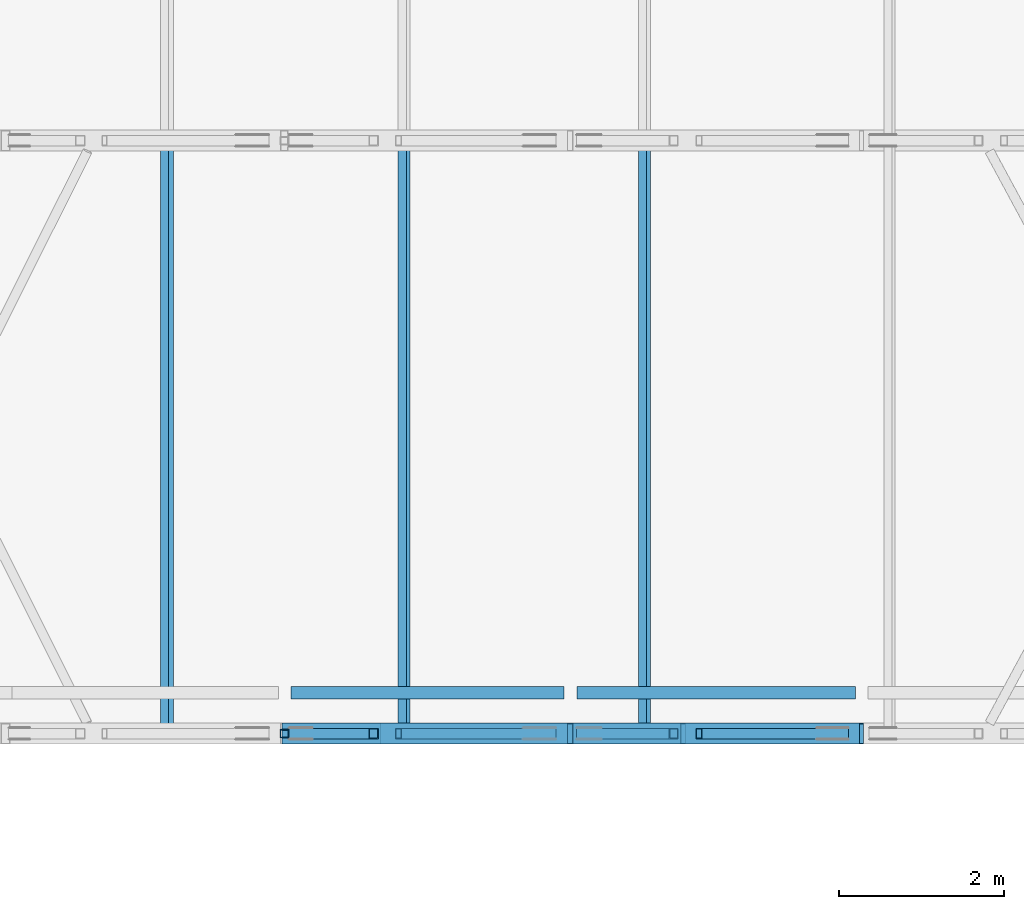
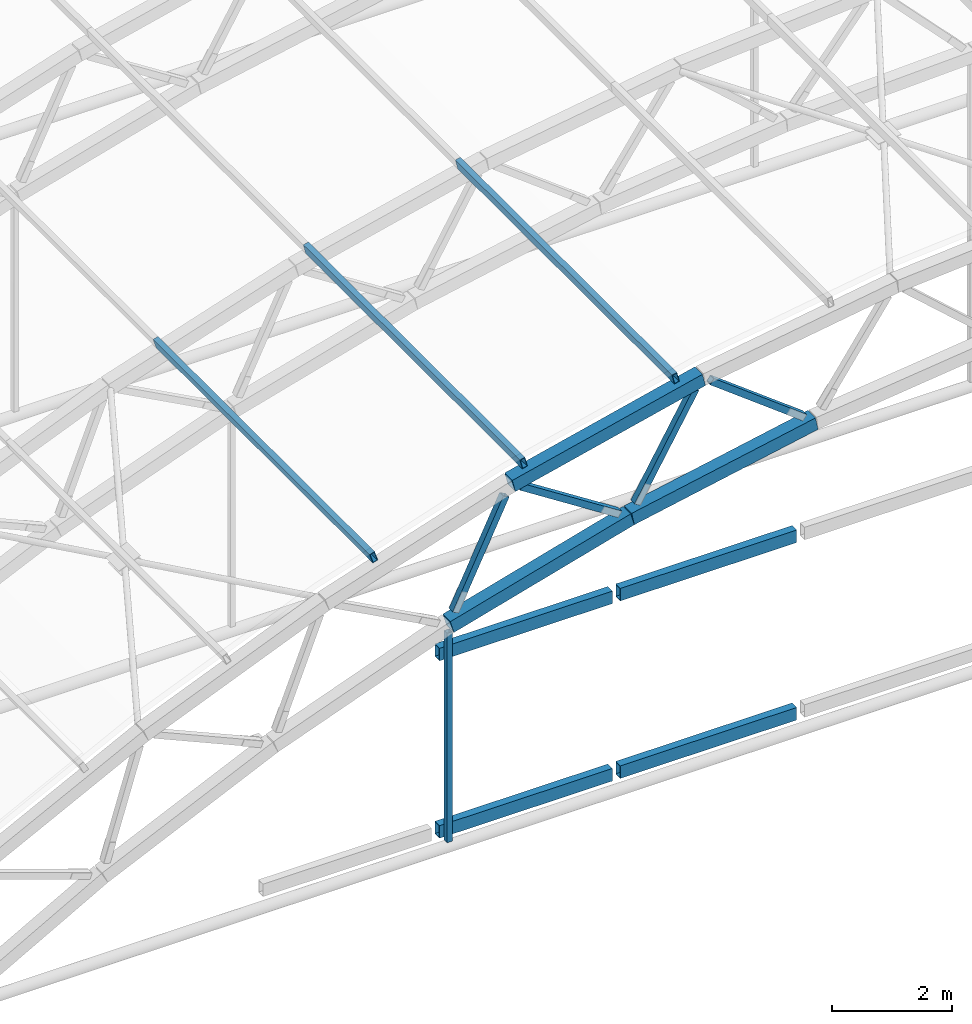
# One storey, part 38 of 127: 11 members, 4 beams.
"""IFC4 building model written with IfcOpenShell, lengths in metres."""

from ifc_helpers import new_model, si_unit, direction, frame, origin, origin_2d, place, context, subcontext, project, spatial, hollow_rectangle, extrude, material, material_profile, profile_set, type_object, element, save


model = new_model("IFC4")

# Units and contexts
model_context = context("Model", 3, precision=1e-05, world=origin(), true_north=direction((0.0, 1.0)))
body_context = subcontext(model_context, "Body", "Model", "MODEL_VIEW")
ifc_project = project(units=[si_unit("LENGTHUNIT", "METRE"), si_unit("AREAUNIT", "SQUARE_METRE"), si_unit("VOLUMEUNIT", "CUBIC_METRE"), si_unit("PLANEANGLEUNIT", "RADIAN"), si_unit("MASSUNIT", "GRAM", prefix="KILO")], contexts=[model_context])

# Site, building, storey
site_placement = place(None, origin())
site = spatial("IfcSite", under=ifc_project, at=site_placement, CompositionType="ELEMENT")
building_placement = place(site_placement, origin())
building = spatial("IfcBuilding", under=site, at=building_placement, Name="Verrick Yard Athletic Hall", CompositionType="ELEMENT")
storey_placement = place(building_placement, frame((0.0, 0.0, 14.0)))
storey = spatial("IfcBuildingStorey", under=building, at=storey_placement, Name="L03", CompositionType="ELEMENT", Elevation=14.0)

# Members
ifc_material = material(Name="Structural steel HSS Class C 350W (CSA G40.20/G40.21)", Category="steel")
ifc_material_profile_1 = material_profile(ifc_material, hollow_rectangle(XDim=0.25390625, YDim=0.25390625, WallThickness=0.009521484375, at=origin_2d()), Name="HSS254x254x9.5")
ifc_profile_set_1 = profile_set([ifc_material_profile_1], Name="Structural steel HSS Class C 350W (CSA G40.20/G40.21)")
member_type_1 = type_object("IfcMemberType", Name="HB bottom chord HSS254x254x9.5", PredefinedType="CHORD", material=ifc_profile_set_1)
for number, where, z_axis, x_axis, name in (
    (1, (131.412353515625, 72.0, 4.514404296875), (0.962572378456, 0.0, 0.271024752066), (0.0, 1.0, 0.0), "Truss TA1 bottom chord 4"),
    (2, (134.883544921875, 72.0, 5.4912109375), (0.980846119722, 0.0, 0.194784212465), (0.0, 1.0, 0.0), "Truss TA1 bottom chord 5"),
):
    element("IfcMember", number, at=place(storey_placement, frame(where, z_axis=z_axis, x_axis=x_axis)), inside=storey, type_object=member_type_1, Name=name, PredefinedType="CHORD", context=body_context, shape_type="SweptSolid", body=[
        extrude(hollow_rectangle(XDim=0.25390625, YDim=0.25390625, WallThickness=0.009521484375, at=origin_2d()), origin(), (0.0, 0.0, 1.0), 3.595947265625),
    ])
ifc_material_profile_2 = material_profile(ifc_material, hollow_rectangle(XDim=0.1015625, YDim=0.203125, WallThickness=0.009521484375, at=origin_2d()), Name="HSS203x102x9.5")
ifc_profile_set_2 = profile_set([ifc_material_profile_2], Name="Structural steel HSS Class C 350W (CSA G40.20/G40.21)")
member_type_2 = type_object("IfcMemberType", Name="HB purlin HSS203x102x9.5", PredefinedType="PURLIN", material=ifc_profile_set_2)
for number, where, z_axis, x_axis, name in (
    (3, (129.98095703125, 72.0, 6.3544921875), (0.0, 1.0, 0.0), (-0.951213620533, 0.0, -0.308533058379), "HB-PU-A-1-4"),
    (4, (132.858642578125, 72.0, 7.260009765625), (0.0, 1.0, 0.0), (-0.972458956474, 0.0, -0.23307418985), "HB-PU-A-1-5"),
    (5, (135.776123046875, 72.0, 7.959228515625), (0.0, 1.0, 0.0), (-0.972458956474, 0.0, -0.23307418985), "HB-PU-A-1-6"),
):
    element("IfcMember", number, at=place(storey_placement, frame(where, z_axis=z_axis, x_axis=x_axis)), inside=storey, type_object=member_type_2, Name=name, PredefinedType="PURLIN", context=body_context, shape_type="SweptSolid", body=[
        extrude(hollow_rectangle(XDim=0.1015625, YDim=0.203125, WallThickness=0.009521484375, at=origin_2d()), origin(), (0.0, 0.0, 1.0), 7.199951171875),
    ])
ifc_material_profile_3 = material_profile(ifc_material, hollow_rectangle(XDim=0.25390625, YDim=0.25390625, WallThickness=0.009521484375, at=origin_2d()), Name="HSS254x254x9.5")
ifc_profile_set_3 = profile_set([ifc_material_profile_3], Name="Structural steel HSS Class C 350W (CSA G40.20/G40.21)")
member_type_3 = type_object("IfcMemberType", Name="HB top chord HSS254x254x9.5", PredefinedType="CHORD", material=ifc_profile_set_3)
member_1_placement = place(storey_placement, frame((132.59619140625, 72.0, 6.9619140625), z_axis=(0.972457525524, 0.0, 0.233080160141), x_axis=(0.0, 1.0, 0.0)))
element("IfcMember", 6, at=member_1_placement, inside=storey, type_object=member_type_3, Name="Truss TA1 top chord 5", PredefinedType="CHORD", context=body_context, shape_type="SweptSolid", body=[
    extrude(hollow_rectangle(XDim=0.25390625, YDim=0.25390625, WallThickness=0.009521484375, at=origin_2d()), origin(), (0.0, 0.0, 1.0), 3.7529296875),
])
ifc_material_profile_4 = material_profile(ifc_material, hollow_rectangle(XDim=0.1015625, YDim=0.1015625, WallThickness=0.00634765625, at=origin_2d()), Name="HSS102x102x6.4")
ifc_profile_set_4 = profile_set([ifc_material_profile_4], Name="Structural steel HSS Class C 350W (CSA G40.20/G40.21)")
member_type_4 = type_object("IfcMemberType", Name="HB truss hanger HSS102x102x6.4", PredefinedType="MEMBER", material=ifc_profile_set_4)
member_2_placement = place(storey_placement, frame((131.407470703125, 72.0, 4.35888671875), z_axis=(0.0, 0.0, -1.0), x_axis=(0.0, -1.0, 0.0)))
element("IfcMember", 7, at=member_2_placement, inside=storey, type_object=member_type_4, Name="Truss TA1 hanger 1", PredefinedType="MEMBER", context=body_context, shape_type="SweptSolid", body=[
    extrude(hollow_rectangle(XDim=0.1015625, YDim=0.1015625, WallThickness=0.00634765625, at=origin_2d()), origin(), (0.0, 0.0, 1.0), 4.249267578125),
])
ifc_material_profile_5 = material_profile(ifc_material, hollow_rectangle(XDim=0.126953125, YDim=0.126953125, WallThickness=0.009521484375, at=origin_2d()), Name="HSS127x127x9.5")
ifc_profile_set_5 = profile_set([ifc_material_profile_5], Name="Structural steel HSS Class C 350W (CSA G40.20/G40.21)")
member_type_5 = type_object("IfcMemberType", Name="HB truss web HSS127x127x9.5", PredefinedType="BRACE", material=ifc_profile_set_5)
for number, where, z_axis, x_axis, name in (
    (8, (131.515869140625, 72.0, 4.73681640625), (0.435369492886, 0.0, 0.900251856241), (0.0, 1.0, 0.0), "Truss TA1 web 7"),
    (9, (132.79052734375, 72.0, 6.832763671875), (0.841150064875, 0.0, -0.540801782875), (0.0, 1.0, 0.0), "Truss TA1 web 8"),
    (10, (135.004150390625, 72.0, 5.705078125), (0.504543682156, 0.0, 0.86338616667), (0.0, 1.0, 0.0), "Truss TA1 web 9"),
):
    element("IfcMember", number, at=place(storey_placement, frame(where, z_axis=z_axis, x_axis=x_axis)), inside=storey, type_object=member_type_5, Name=name, PredefinedType="BRACE", context=body_context, shape_type="SweptSolid", body=[
        extrude(hollow_rectangle(XDim=0.126953125, YDim=0.126953125, WallThickness=0.009521484375, at=origin_2d()), origin(), (0.0, 0.0, 1.0), 2.233642578125),
    ])
member_3_placement = place(storey_placement, frame((136.439208984375, 72.0, 7.694580078125), z_axis=(0.796206425538, 0.0, -0.605025063887), x_axis=(0.0, 1.0, 0.0)))
element("IfcMember", 11, at=member_3_placement, inside=storey, type_object=member_type_5, Name="Truss TA1 web 10", PredefinedType="BRACE", context=body_context, shape_type="SweptSolid", body=[
    extrude(hollow_rectangle(XDim=0.126953125, YDim=0.126953125, WallThickness=0.009521484375, at=origin_2d()), origin(), (0.0, 0.0, 1.0), 2.2333984375),
])

# Beams
ifc_material_profile_6 = material_profile(ifc_material, hollow_rectangle(XDim=0.15234375, YDim=0.25390625, WallThickness=0.009521484375, at=origin_2d()), Name="HSS254x152x9.5")
ifc_profile_set_6 = profile_set([ifc_material_profile_6], Name="Structural steel HSS Class C 350W (CSA G40.20/G40.21)")
beam_type = type_object("IfcBeamType", Name="HB wind girder HSS254x152x9.5", PredefinedType="BEAM", material=ifc_profile_set_6)
beam_1_placement = place(storey_placement, frame((131.483642578125, 72.49462890625, 0.0), z_axis=(1.0, 0.0, 0.0), x_axis=(0.0, 1.0, 0.0)))
element("IfcBeam", 12, at=beam_1_placement, inside=storey, type_object=beam_type, Name="HB-WG-AS-140-2", PredefinedType="BEAM", context=body_context, shape_type="SweptSolid", body=[
    extrude(hollow_rectangle(XDim=0.15234375, YDim=0.25390625, WallThickness=0.009521484375, at=origin_2d()), origin(), (0.0, 0.0, 1.0), 3.31884765625),
])
beam_2_placement = place(storey_placement, frame((134.954833984375, 72.49462890625, 0.0), z_axis=(1.0, 0.0, 0.0), x_axis=(0.0, 1.0, 0.0)))
element("IfcBeam", 13, at=beam_2_placement, inside=storey, type_object=beam_type, Name="HB-WG-AS-140-3", PredefinedType="BEAM", context=body_context, shape_type="SweptSolid", body=[
    extrude(hollow_rectangle(XDim=0.15234375, YDim=0.25390625, WallThickness=0.009521484375, at=origin_2d()), origin(), (0.0, 0.0, 1.0), 3.384521484375),
])
beam_3_placement = place(storey_placement, frame((131.483642578125, 72.49462890625, 3.60009765625), z_axis=(1.0, 0.0, 0.0), x_axis=(0.0, 1.0, 0.0)))
element("IfcBeam", 14, at=beam_3_placement, inside=storey, type_object=beam_type, Name="HB-WG-AS-176-1", PredefinedType="BEAM", context=body_context, shape_type="SweptSolid", body=[
    extrude(hollow_rectangle(XDim=0.15234375, YDim=0.25390625, WallThickness=0.009521484375, at=origin_2d()), origin(), (0.0, 0.0, 1.0), 3.31884765625),
])
beam_4_placement = place(storey_placement, frame((134.954833984375, 72.49462890625, 3.60009765625), z_axis=(1.0, 0.0, 0.0), x_axis=(0.0, 1.0, 0.0)))
element("IfcBeam", 15, at=beam_4_placement, inside=storey, type_object=beam_type, Name="HB-WG-AS-176-2", PredefinedType="BEAM", context=body_context, shape_type="SweptSolid", body=[
    extrude(hollow_rectangle(XDim=0.15234375, YDim=0.25390625, WallThickness=0.009521484375, at=origin_2d()), origin(), (0.0, 0.0, 1.0), 3.384521484375),
])

save(model, "model.ifc")
